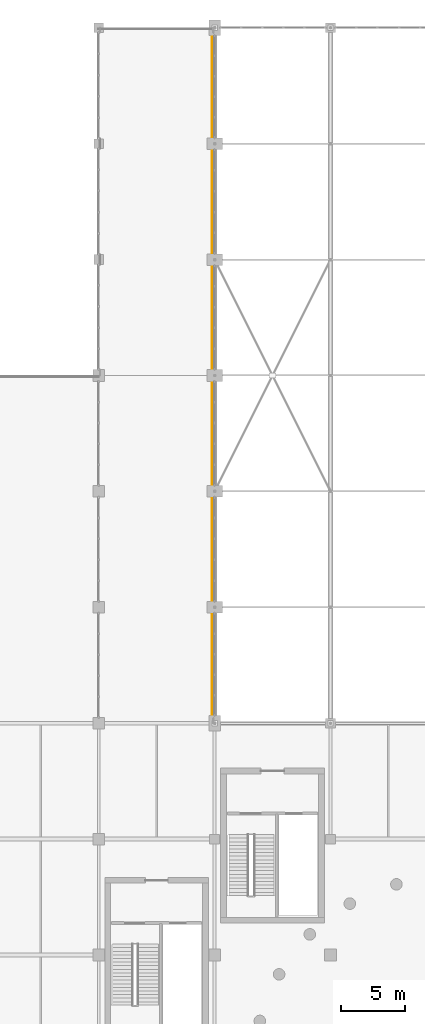
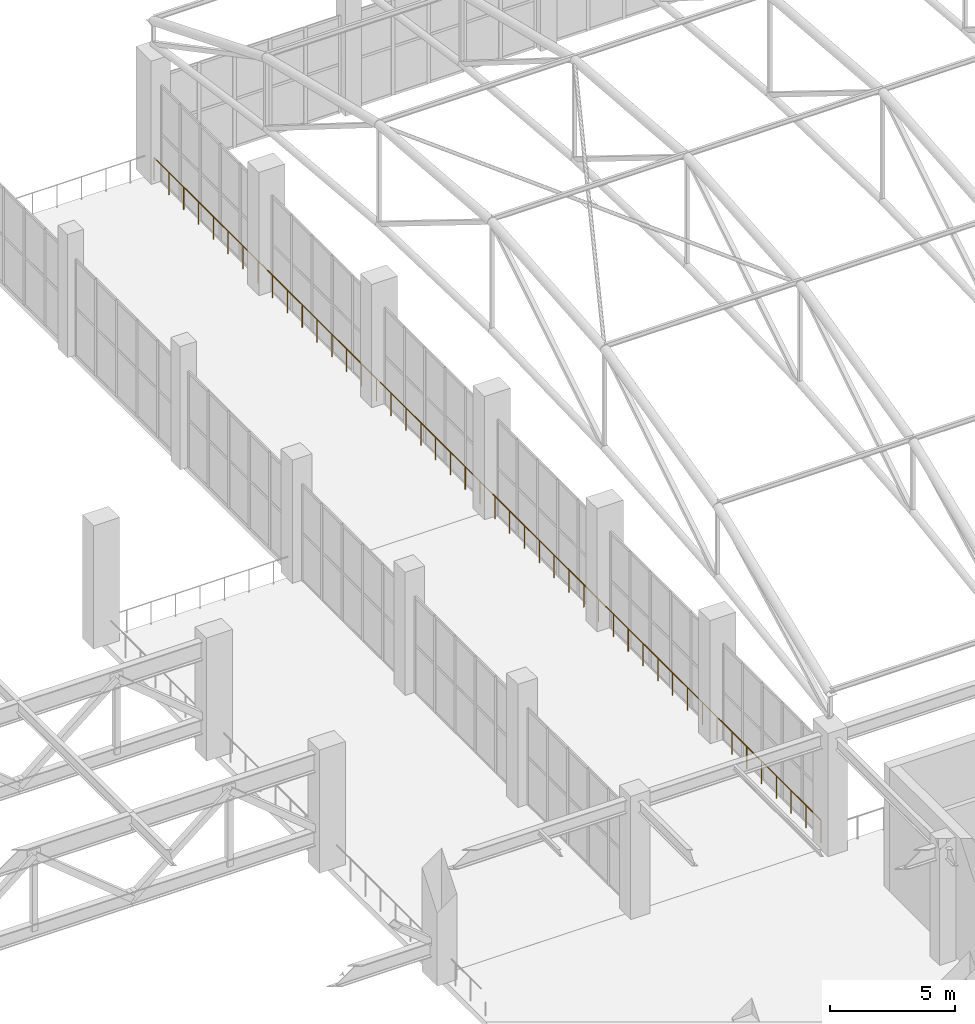
# One storey, part 221 of 223: 1 railing.
"""IFC4 building model written with IfcOpenShell, lengths in metres."""

from ifc_helpers import new_model, si_unit, direction, frame, origin, origin_2d, place, context, subcontext, project, spatial, circle, extrude, material, type_object, element, save


model = new_model("IFC4")

# Units and contexts
model_context = context("Model", 3, precision=1e-05, world=origin(), true_north=direction((0.0, 1.0)))
body_context = subcontext(model_context, "Body", "Model", "MODEL_VIEW")
ifc_project = project(units=[si_unit("LENGTHUNIT", "METRE"), si_unit("AREAUNIT", "SQUARE_METRE"), si_unit("VOLUMEUNIT", "CUBIC_METRE"), si_unit("PLANEANGLEUNIT", "RADIAN"), si_unit("MASSUNIT", "GRAM", prefix="KILO")], contexts=[model_context])

# Site, building, storey
site_placement = place(None, origin())
site = spatial("IfcSite", under=ifc_project, at=site_placement, CompositionType="ELEMENT")
building_placement = place(site_placement, origin())
building = spatial("IfcBuilding", under=site, at=building_placement, Name="Dornveld Trade and Exhibition Forum", CompositionType="ELEMENT")
storey_placement = place(building_placement, frame((0.0, 0.0, 6.0)))
storey = spatial("IfcBuildingStorey", under=building, at=storey_placement, Name="L01", CompositionType="ELEMENT", Elevation=6.0)

# Railing
ifc_material = material(Name="Dark-bronze steel and laminated glass balustrade", Category="steel")
railing_type = type_object("IfcRailingType", Name="RL-BALUST-CONC", PredefinedType="BALUSTRADE", material=ifc_material)
railing_placement = place(storey_placement, frame((98.800048828125, 108.39990234375, 0.0)))
element("IfcRailing", 1, at=railing_placement, inside=storey, type_object=railing_type, Name="L01 protective edge guard 20", PredefinedType="BALUSTRADE", context=body_context, shape_type="SweptSolid", body=[
    extrude(circle(Radius=0.02490234375, at=origin_2d()), frame((0.0, 0.0, 1.09521484375), z_axis=(0.0, 1.0, 0.0), x_axis=(-1.0, 0.0, 0.0)), (0.0, 0.0, 1.0), 53.2001953125),
    extrude(circle(Radius=0.02099609375, at=origin_2d()), origin(), (0.0, 0.0, 1.0), 1.070068359375),
    extrude(circle(Radius=0.02099609375, at=origin_2d()), frame((0.0, 1.18212890625, 0.0)), (0.0, 0.0, 1.0), 1.070068359375),
    extrude(circle(Radius=0.02099609375, at=origin_2d()), frame((0.0, 2.364501953125, 0.0)), (0.0, 0.0, 1.0), 1.070068359375),
    extrude(circle(Radius=0.02099609375, at=origin_2d()), frame((0.0, 3.546630859375, 0.0)), (0.0, 0.0, 1.0), 1.070068359375),
    extrude(circle(Radius=0.02099609375, at=origin_2d()), frame((0.0, 4.72900390625, 0.0)), (0.0, 0.0, 1.0), 1.070068359375),
    extrude(circle(Radius=0.02099609375, at=origin_2d()), frame((0.0, 5.9111328125, 0.0)), (0.0, 0.0, 1.0), 1.070068359375),
    extrude(circle(Radius=0.02099609375, at=origin_2d()), frame((0.0, 7.09326171875, 0.0)), (0.0, 0.0, 1.0), 1.070068359375),
    extrude(circle(Radius=0.02099609375, at=origin_2d()), frame((0.0, 8.275634765625, 0.0)), (0.0, 0.0, 1.0), 1.070068359375),
    extrude(circle(Radius=0.02099609375, at=origin_2d()), frame((0.0, 9.457763671875, 0.0)), (0.0, 0.0, 1.0), 1.070068359375),
    extrude(circle(Radius=0.02099609375, at=origin_2d()), frame((0.0, 10.64013671875, 0.0)), (0.0, 0.0, 1.0), 1.070068359375),
    extrude(circle(Radius=0.02099609375, at=origin_2d()), frame((0.0, 11.822265625, 0.0)), (0.0, 0.0, 1.0), 1.070068359375),
    extrude(circle(Radius=0.02099609375, at=origin_2d()), frame((0.0, 13.00439453125, 0.0)), (0.0, 0.0, 1.0), 1.070068359375),
    extrude(circle(Radius=0.02099609375, at=origin_2d()), frame((0.0, 14.186767578125, 0.0)), (0.0, 0.0, 1.0), 1.070068359375),
    extrude(circle(Radius=0.02099609375, at=origin_2d()), frame((0.0, 15.368896484375, 0.0)), (0.0, 0.0, 1.0), 1.070068359375),
    extrude(circle(Radius=0.02099609375, at=origin_2d()), frame((0.0, 16.55126953125, 0.0)), (0.0, 0.0, 1.0), 1.070068359375),
    extrude(circle(Radius=0.02099609375, at=origin_2d()), frame((0.0, 17.7333984375, 0.0)), (0.0, 0.0, 1.0), 1.070068359375),
    extrude(circle(Radius=0.02099609375, at=origin_2d()), frame((0.0, 18.91552734375, 0.0)), (0.0, 0.0, 1.0), 1.070068359375),
    extrude(circle(Radius=0.02099609375, at=origin_2d()), frame((0.0, 20.097900390625, 0.0)), (0.0, 0.0, 1.0), 1.070068359375),
    extrude(circle(Radius=0.02099609375, at=origin_2d()), frame((0.0, 21.280029296875, 0.0)), (0.0, 0.0, 1.0), 1.070068359375),
    extrude(circle(Radius=0.02099609375, at=origin_2d()), frame((0.0, 22.46240234375, 0.0)), (0.0, 0.0, 1.0), 1.070068359375),
    extrude(circle(Radius=0.02099609375, at=origin_2d()), frame((0.0, 23.64453125, 0.0)), (0.0, 0.0, 1.0), 1.070068359375),
    extrude(circle(Radius=0.02099609375, at=origin_2d()), frame((0.0, 24.82666015625, 0.0)), (0.0, 0.0, 1.0), 1.070068359375),
    extrude(circle(Radius=0.02099609375, at=origin_2d()), frame((0.0, 26.009033203125, 0.0)), (0.0, 0.0, 1.0), 1.070068359375),
    extrude(circle(Radius=0.02099609375, at=origin_2d()), frame((0.0, 27.191162109375, 0.0)), (0.0, 0.0, 1.0), 1.070068359375),
    extrude(circle(Radius=0.02099609375, at=origin_2d()), frame((0.0, 28.37353515625, 0.0)), (0.0, 0.0, 1.0), 1.070068359375),
    extrude(circle(Radius=0.02099609375, at=origin_2d()), frame((0.0, 29.5556640625, 0.0)), (0.0, 0.0, 1.0), 1.070068359375),
    extrude(circle(Radius=0.02099609375, at=origin_2d()), frame((0.0, 30.73779296875, 0.0)), (0.0, 0.0, 1.0), 1.070068359375),
    extrude(circle(Radius=0.02099609375, at=origin_2d()), frame((0.0, 31.920166015625, 0.0)), (0.0, 0.0, 1.0), 1.070068359375),
    extrude(circle(Radius=0.02099609375, at=origin_2d()), frame((0.0, 33.102294921875, 0.0)), (0.0, 0.0, 1.0), 1.070068359375),
    extrude(circle(Radius=0.02099609375, at=origin_2d()), frame((0.0, 34.28466796875, 0.0)), (0.0, 0.0, 1.0), 1.070068359375),
    extrude(circle(Radius=0.02099609375, at=origin_2d()), frame((0.0, 35.466796875, 0.0)), (0.0, 0.0, 1.0), 1.070068359375),
    extrude(circle(Radius=0.02099609375, at=origin_2d()), frame((0.0, 36.64892578125, 0.0)), (0.0, 0.0, 1.0), 1.070068359375),
    extrude(circle(Radius=0.02099609375, at=origin_2d()), frame((0.0, 37.831298828125, 0.0)), (0.0, 0.0, 1.0), 1.070068359375),
    extrude(circle(Radius=0.02099609375, at=origin_2d()), frame((0.0, 39.013427734375, 0.0)), (0.0, 0.0, 1.0), 1.070068359375),
    extrude(circle(Radius=0.02099609375, at=origin_2d()), frame((0.0, 40.19580078125, 0.0)), (0.0, 0.0, 1.0), 1.070068359375),
    extrude(circle(Radius=0.02099609375, at=origin_2d()), frame((0.0, 41.3779296875, 0.0)), (0.0, 0.0, 1.0), 1.070068359375),
    extrude(circle(Radius=0.02099609375, at=origin_2d()), frame((0.0, 42.56005859375, 0.0)), (0.0, 0.0, 1.0), 1.070068359375),
    extrude(circle(Radius=0.02099609375, at=origin_2d()), frame((0.0, 43.742431640625, 0.0)), (0.0, 0.0, 1.0), 1.070068359375),
    extrude(circle(Radius=0.02099609375, at=origin_2d()), frame((0.0, 44.924560546875, 0.0)), (0.0, 0.0, 1.0), 1.070068359375),
    extrude(circle(Radius=0.02099609375, at=origin_2d()), frame((0.0, 46.10693359375, 0.0)), (0.0, 0.0, 1.0), 1.070068359375),
    extrude(circle(Radius=0.02099609375, at=origin_2d()), frame((0.0, 47.2890625, 0.0)), (0.0, 0.0, 1.0), 1.070068359375),
    extrude(circle(Radius=0.02099609375, at=origin_2d()), frame((0.0, 48.47119140625, 0.0)), (0.0, 0.0, 1.0), 1.070068359375),
    extrude(circle(Radius=0.02099609375, at=origin_2d()), frame((0.0, 49.653564453125, 0.0)), (0.0, 0.0, 1.0), 1.070068359375),
    extrude(circle(Radius=0.02099609375, at=origin_2d()), frame((0.0, 50.835693359375, 0.0)), (0.0, 0.0, 1.0), 1.070068359375),
    extrude(circle(Radius=0.02099609375, at=origin_2d()), frame((0.0, 52.01806640625, 0.0)), (0.0, 0.0, 1.0), 1.070068359375),
    extrude(circle(Radius=0.02099609375, at=origin_2d()), frame((0.0, 53.2001953125, 0.0)), (0.0, 0.0, 1.0), 1.070068359375),
])

save(model, "model.ifc")
